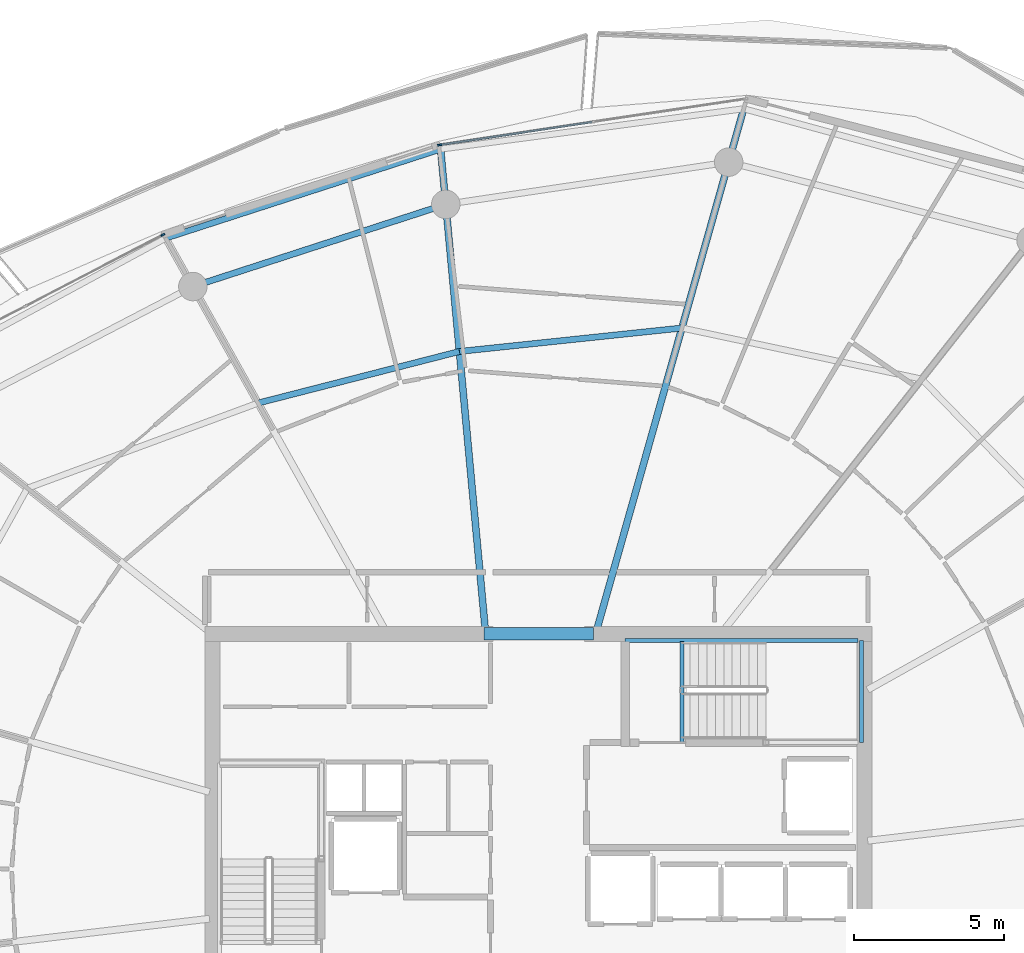
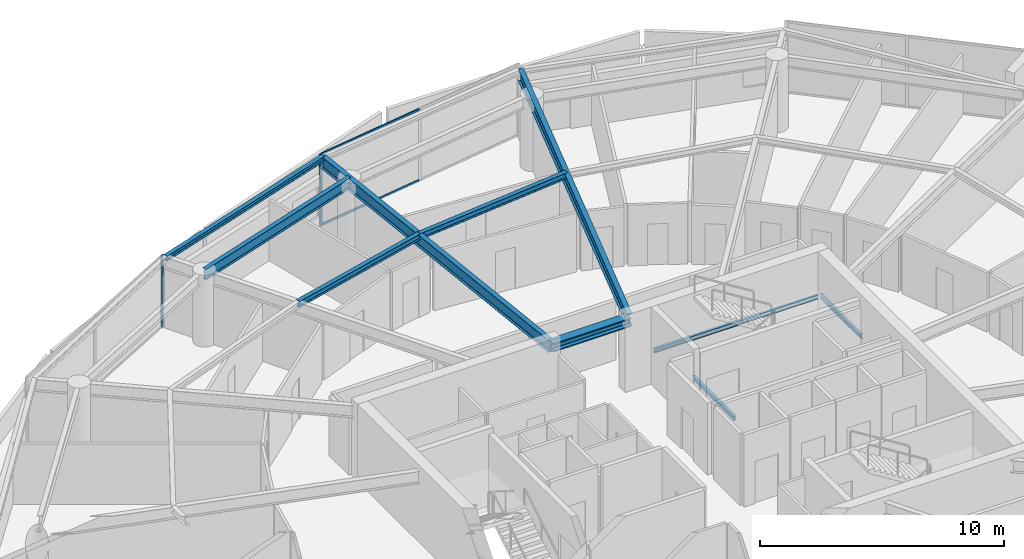
# One storey, part 12 of 29: 10 beams, 4 members, 2 elements without a shape of their own.
"""IFC4 building model written with IfcOpenShell, lengths in metres."""

from ifc_helpers import new_model, si_unit, direction, frame, origin, origin_2d, place, context, subcontext, project, spatial, rectangle, i_section, extrude, material, layer, layer_set, material_profile, profile_set, type_object, element, aggregate, save


model = new_model("IFC4")

# Units and contexts
model_context = context("Model", 3, precision=1e-05, world=origin(), true_north=direction((0.0, 1.0)))
body_context = subcontext(model_context, "Body", "Model", "MODEL_VIEW")
ifc_project = project(units=[si_unit("LENGTHUNIT", "METRE"), si_unit("AREAUNIT", "SQUARE_METRE"), si_unit("VOLUMEUNIT", "CUBIC_METRE"), si_unit("PLANEANGLEUNIT", "RADIAN"), si_unit("MASSUNIT", "GRAM", prefix="KILO")], contexts=[model_context])

# Site, building, storey
site_placement = place(None, origin())
site = spatial("IfcSite", under=ifc_project, at=site_placement, CompositionType="ELEMENT")
building_placement = place(site_placement, origin())
building = spatial("IfcBuilding", under=site, at=building_placement, Name="Kazma Halo Residences", CompositionType="ELEMENT")
storey_placement = place(building_placement, frame((0.0, 0.0, 286.75)))
storey = spatial("IfcBuildingStorey", under=building, at=storey_placement, Name="L72", CompositionType="ELEMENT", Elevation=286.75)

# Beams
ifc_material_1 = material(Name="Steel S355", Category="steel")
ifc_material_profile_1 = material_profile(ifc_material_1, i_section(OverallWidth=0.201904296875, OverallDepth=0.2470703125, WebThickness=0.00732421875, FlangeThickness=0.010986328125, FilletRadius=0.011962890625, at=origin_2d()), Name="W250x49.1")
ifc_profile_set_1 = profile_set([ifc_material_profile_1], Name="Steel S355")
beam_type_1 = type_object("IfcBeamType", Name="BM-BAL-CANT", PredefinedType="BEAM", material=ifc_profile_set_1)
beam_1_placement = place(storey_placement, frame((45.157470703125, 66.412841796875, 3.466552734375), z_axis=(-0.95136941054, -0.308052340826, 0.0), x_axis=(0.308052340826, -0.95136941054, 0.0)))
element("IfcBeam", 1, at=beam_1_placement, inside=storey, type_object=beam_type_1, Name="L72 wave-balcony tie beam 04", PredefinedType="BEAM", context=body_context, shape_type="SweptSolid", body=[
    extrude(i_section(OverallWidth=0.201904296875, OverallDepth=0.2470703125, WebThickness=0.00732421875, FlangeThickness=0.010986328125, FilletRadius=0.011962890625, at=origin_2d()), origin(), (0.0, 0.0, 1.0), 9.635498046875),
])
ifc_material_profile_2 = material_profile(ifc_material_1, i_section(OverallWidth=0.408935546875, OverallDepth=0.425048828125, WebThickness=0.03271484375, FlangeThickness=0.052490234375, FilletRadius=0.02001953125, at=origin_2d()), Name="W360x421")
ifc_profile_set_2 = profile_set([ifc_material_profile_2], Name="Steel S355")
beam_type_2 = type_object("IfcBeamType", Name="BM-CORE-W360H", PredefinedType="BEAM", material=ifc_profile_set_2)
beam_2_placement = place(storey_placement, frame((46.60009765625, 50.25, 3.37744140625), z_axis=(1.0, 0.0, 0.0), x_axis=(0.0, 1.0, 0.0)))
element("IfcBeam", 2, at=beam_2_placement, inside=storey, type_object=beam_type_2, Name="L72 core coupling beam N", PredefinedType="BEAM", context=body_context, shape_type="SweptSolid", body=[
    extrude(i_section(OverallWidth=0.408935546875, OverallDepth=0.425048828125, WebThickness=0.03271484375, FlangeThickness=0.052490234375, FilletRadius=0.02001953125, at=origin_2d()), origin(), (0.0, 0.0, 1.0), 3.64990234375),
])
ifc_material_profile_3 = material_profile(ifc_material_1, i_section(OverallWidth=0.22802734375, OverallDepth=0.60791015625, WebThickness=0.01123046875, FlangeThickness=0.017333984375, FilletRadius=0.01806640625, at=origin_2d()), Name="W610x113")
ifc_profile_set_3 = profile_set([ifc_material_profile_3], Name="Steel S355")
beam_type_3 = type_object("IfcBeamType", Name="BM-RAD-W610", PredefinedType="BEAM", material=ifc_profile_set_3)
beam_3_placement = place(storey_placement, frame((50.35498046875, 50.35009765625, 3.285888671875), z_axis=(0.271443175073, 0.962454467861, 0.0), x_axis=(-0.962454467861, 0.271443175073, 0.0)))
element("IfcBeam", 3, at=beam_3_placement, inside=storey, type_object=beam_type_3, Name="L72 radial floor beam 03", PredefinedType="BEAM", context=body_context, shape_type="SweptSolid", body=[
    extrude(i_section(OverallWidth=0.22802734375, OverallDepth=0.60791015625, WebThickness=0.01123046875, FlangeThickness=0.017333984375, FilletRadius=0.01806640625, at=origin_2d()), origin(), (0.0, 0.0, 1.0), 18.089111328125),
])
beam_4_placement = place(storey_placement, frame((46.64990234375, 50.35009765625, 3.285888671875), z_axis=(-0.092514152003, 0.995711369664, 0.0), x_axis=(-0.995711369664, -0.092514152003, 0.0)))
element("IfcBeam", 4, at=beam_4_placement, inside=storey, type_object=beam_type_3, Name="L72 radial floor beam 04", PredefinedType="BEAM", context=body_context, shape_type="SweptSolid", body=[
    extrude(i_section(OverallWidth=0.22802734375, OverallDepth=0.60791015625, WebThickness=0.01123046875, FlangeThickness=0.017333984375, FilletRadius=0.01806640625, at=origin_2d()), origin(), (0.0, 0.0, 1.0), 16.1318359375),
])
ifc_material_profile_4 = material_profile(ifc_material_1, i_section(OverallWidth=0.202880859375, OverallDepth=0.302978515625, WebThickness=0.007568359375, FlangeThickness=0.01318359375, FilletRadius=0.013916015625, at=origin_2d()), Name="W310x60")
ifc_profile_set_4 = profile_set([ifc_material_profile_4], Name="Steel S355")
beam_type_4 = type_object("IfcBeamType", Name="BM-SEC-W310A", PredefinedType="JOIST", material=ifc_profile_set_4)
beam_5_placement = place(storey_placement, frame((53.202880859375, 60.44775390625, 3.4384765625), z_axis=(-0.994500789339, -0.104729079076, 0.0), x_axis=(0.104729079076, -0.994500789339, 0.0)))
element("IfcBeam", 5, at=beam_5_placement, inside=storey, type_object=beam_type_4, Name="L72 circumferential floor joist 03", PredefinedType="JOIST", context=body_context, shape_type="SweptSolid", body=[
    extrude(i_section(OverallWidth=0.202880859375, OverallDepth=0.302978515625, WebThickness=0.007568359375, FlangeThickness=0.01318359375, FilletRadius=0.013916015625, at=origin_2d()), origin(), (0.0, 0.0, 1.0), 7.459716796875),
])
beam_6_placement = place(storey_placement, frame((45.7841796875, 59.66650390625, 3.4384765625), z_axis=(-0.968655607923, -0.248407554714, 0.0), x_axis=(0.248407554714, -0.968655607923, 0.0)))
element("IfcBeam", 6, at=beam_6_placement, inside=storey, type_object=beam_type_4, Name="L72 circumferential floor joist 04", PredefinedType="JOIST", context=body_context, shape_type="SweptSolid", body=[
    extrude(i_section(OverallWidth=0.202880859375, OverallDepth=0.302978515625, WebThickness=0.007568359375, FlangeThickness=0.01318359375, FilletRadius=0.013916015625, at=origin_2d()), origin(), (0.0, 0.0, 1.0), 6.930908203125),
])
ifc_material_profile_5 = material_profile(ifc_material_1, i_section(OverallWidth=0.208984375, OverallDepth=0.532958984375, WebThickness=0.01025390625, FlangeThickness=0.015625, FilletRadius=0.01611328125, at=origin_2d()), Name="W530x92")
ifc_profile_set_5 = profile_set([ifc_material_profile_5], Name="Steel S355")
beam_type_5 = type_object("IfcBeamType", Name="BM-SPN-W530", PredefinedType="BEAM", material=ifc_profile_set_5)
beam_7_placement = place(storey_placement, frame((45.32861328125, 64.57080078125, 3.323486328125), z_axis=(-0.951053893407, -0.309025066679, 0.0), x_axis=(0.309025066679, -0.951053893407, 0.0)))
element("IfcBeam", 7, at=beam_7_placement, inside=storey, type_object=beam_type_5, Name="L72 perimeter ring beam 04", PredefinedType="BEAM", context=body_context, shape_type="SweptSolid", body=[
    extrude(i_section(OverallWidth=0.208984375, OverallDepth=0.532958984375, WebThickness=0.01025390625, FlangeThickness=0.015625, FilletRadius=0.01611328125, at=origin_2d()), origin(), (0.0, 0.0, 1.0), 8.8681640625),
])
ifc_material_profile_6 = material_profile(ifc_material_1, i_section(OverallWidth=0.133056640625, OverallDepth=0.20703125, WebThickness=0.005859375, FlangeThickness=0.00830078125, FilletRadius=0.010009765625, at=origin_2d()), Name="W200x26.6")
ifc_profile_set_6 = profile_set([ifc_material_profile_6], Name="Steel S355")
beam_type_6 = type_object("IfcBeamType", Name="BM-TRIM-W200", PredefinedType="BEAM", material=ifc_profile_set_6)
beam_8_placement = place(storey_placement, frame((53.199951171875, 46.6201171875, -0.3701171875), z_axis=(0.0, 1.0, 0.0), x_axis=(-1.0, 0.0, 0.0)))
element("IfcBeam", 8, at=beam_8_placement, inside=storey, type_object=beam_type_6, Name="L72 ST-02 floor landing support beam", PredefinedType="BEAM", context=body_context, shape_type="SweptSolid", body=[
    extrude(i_section(OverallWidth=0.133056640625, OverallDepth=0.20703125, WebThickness=0.005859375, FlangeThickness=0.00830078125, FilletRadius=0.010009765625, at=origin_2d()), origin(), (0.0, 0.0, 1.0), 3.3798828125),
])
beam_9_placement = place(storey_placement, frame((51.31005859375, 50.02001953125, 1.6201171875), z_axis=(1.0, 0.0, 0.0), x_axis=(0.0, 1.0, 0.0)))
element("IfcBeam", 9, at=beam_9_placement, inside=storey, type_object=beam_type_6, Name="L72 ST-02 landing north wall ledger", PredefinedType="BEAM", context=body_context, shape_type="SweptSolid", body=[
    extrude(i_section(OverallWidth=0.133056640625, OverallDepth=0.20703125, WebThickness=0.005859375, FlangeThickness=0.00830078125, FilletRadius=0.010009765625, at=origin_2d()), origin(), (0.0, 0.0, 1.0), 7.760009765625),
])
beam_10_placement = place(storey_placement, frame((59.18994140625, 46.6201171875, 1.6201171875), z_axis=(0.0, 1.0, 0.0), x_axis=(-1.0, 0.0, 0.0)))
element("IfcBeam", 10, at=beam_10_placement, inside=storey, type_object=beam_type_6, Name="L72 ST-02 landing end wall ledger", PredefinedType="BEAM", context=body_context, shape_type="SweptSolid", body=[
    extrude(i_section(OverallWidth=0.133056640625, OverallDepth=0.20703125, WebThickness=0.005859375, FlangeThickness=0.00830078125, FilletRadius=0.010009765625, at=origin_2d()), origin(), (0.0, 0.0, 1.0), 3.39990234375),
])

# Curtain wall, member
ifc_material_2 = material(Name="Aluminium AW-6063 T6 and Triple-Silver Low-E Glass", Category="aluminium")
ifc_layer = layer(ifc_material_2, 0.139892578125)
ifc_layer_set = layer_set([ifc_layer], Name="Aluminium AW-6063 T6 and Triple-Silver Low-E Glass")
curtain_wall_type = type_object("IfcCurtainWallType", Name="CW-SYS-5", PredefinedType="NOTDEFINED", material=ifc_layer_set)
curtain_wall_1_placement = place(storey_placement, origin())
curtain_wall_1 = element("IfcCurtainWall", 11, at=curtain_wall_1_placement, inside=storey, type_object=curtain_wall_type, Name="L72 unitised curtain wall B03", PredefinedType="NOTDEFINED")
ifc_material_3 = material(Name="Aluminium AW-6063 T6", Category="aluminium")
ifc_material_profile_7 = material_profile(ifc_material_3, rectangle(XDim=0.06005859375, YDim=0.139892578125, at=origin_2d()), Name="CWM-60x140")
ifc_profile_set_7 = profile_set([ifc_material_profile_7], Name="Aluminium AW-6063 T6")
member_type_1 = type_object("IfcMemberType", Name="CW-SYS-5-MUL", PredefinedType="MULLION", material=ifc_profile_set_7)
member_1_placement = place(storey_placement, frame((45.124267578125, 66.552734375, 0.0), z_axis=(0.0, 0.0, 1.0), x_axis=(0.148697080374, -0.988882792998, 0.0)))
member_1 = element("IfcMember", 12, at=member_1_placement, type_object=member_type_1, Name="CWS-5 mullion 3", PredefinedType="MULLION", context=body_context, shape_type="SweptSolid", body=[
    extrude(rectangle(XDim=0.06005859375, YDim=0.139892578125, at=origin_2d()), origin(), (0.0, 0.0, 1.0), 3.590087890625),
])

curtain_wall_2_placement = place(storey_placement, origin())
curtain_wall_2 = element("IfcCurtainWall", 13, at=curtain_wall_2_placement, inside=storey, type_object=curtain_wall_type, Name="L72 unitised curtain wall B05", PredefinedType="NOTDEFINED")
member_2_placement = place(storey_placement, frame((35.894775390625, 63.553955078125, 0.0), z_axis=(0.0, 0.0, 1.0), x_axis=(0.460960760804, -0.887420518694, 0.0)))
member_2 = element("IfcMember", 14, at=member_2_placement, type_object=member_type_1, Name="CWS-5 mullion 1", PredefinedType="MULLION", context=body_context, shape_type="SweptSolid", body=[
    extrude(rectangle(XDim=0.06005859375, YDim=0.139892578125, at=origin_2d()), origin(), (0.0, 0.0, 1.0), 3.590087890625),
])
aggregate(curtain_wall_2, [member_2])

# Member
ifc_material_profile_8 = material_profile(ifc_material_3, rectangle(XDim=0.06005859375, YDim=0.10498046875, at=origin_2d()), Name="CWT-60x105")
ifc_profile_set_8 = profile_set([ifc_material_profile_8], Name="Aluminium AW-6063 T6")
member_type_2 = type_object("IfcMemberType", Name="CW-SYS-5-TRN", PredefinedType="USERDEFINED", material=ifc_profile_set_8)
member_3_placement = place(storey_placement, frame((50.19677734375, 67.3154296875, 0.030029296875), z_axis=(-0.988882913569, -0.148696278541, 0.0), x_axis=(0.148696278541, -0.988882913569, 0.0)))
member_3 = element("IfcMember", 15, at=member_3_placement, type_object=member_type_2, Name="CWS-5 transom 2.1", ObjectType="TRANSOM", PredefinedType="USERDEFINED", context=body_context, shape_type="SweptSolid", body=[
    extrude(rectangle(XDim=0.06005859375, YDim=0.10498046875, at=origin_2d()), origin(), (0.0, 0.0, 1.0), 5.099609375),
])

member_4_placement = place(storey_placement, frame((50.19677734375, 67.3154296875, 3.56005859375), z_axis=(-0.988882913569, -0.148696278541, 0.0), x_axis=(0.148696278541, -0.988882913569, 0.0)))
member_4 = element("IfcMember", 16, at=member_4_placement, type_object=member_type_2, Name="CWS-5 transom 2.2", ObjectType="TRANSOM", PredefinedType="USERDEFINED", context=body_context, shape_type="SweptSolid", body=[
    extrude(rectangle(XDim=0.06005859375, YDim=0.10498046875, at=origin_2d()), origin(), (0.0, 0.0, 1.0), 5.099609375),
])

aggregate(curtain_wall_1, [member_1, member_3, member_4])

save(model, "model.ifc")
